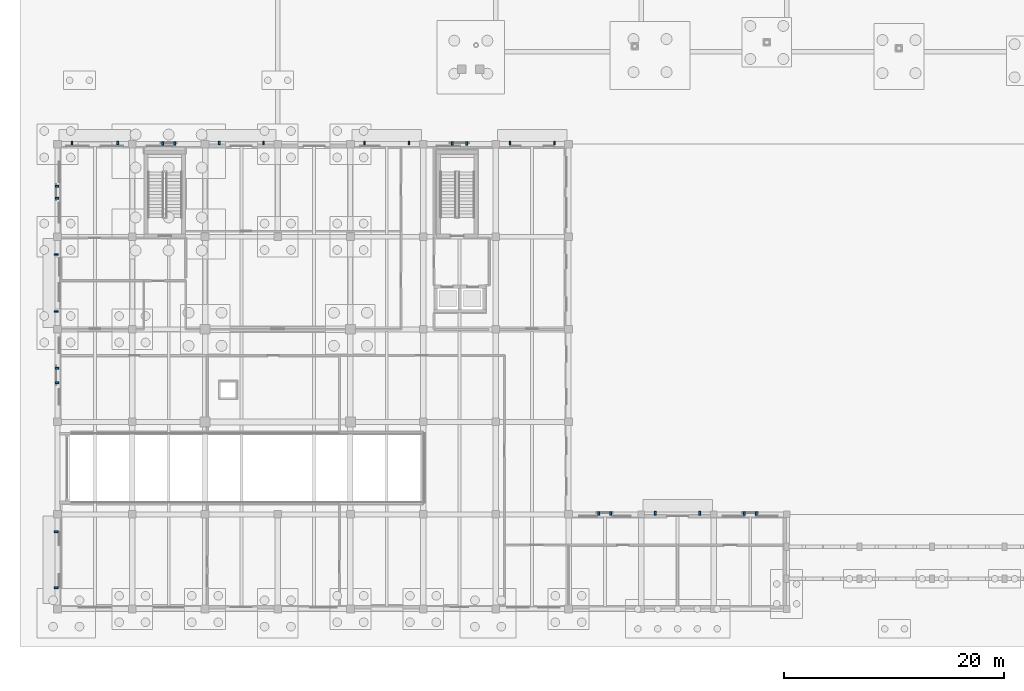
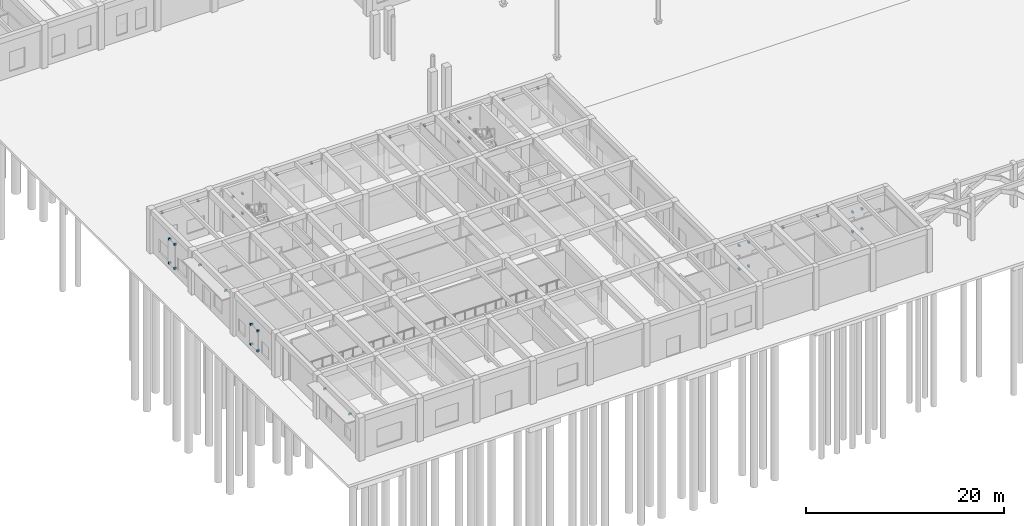
# One storey, part 66 of 82: 38 discrete accessories.
"""IFC4 building model written with IfcOpenShell, lengths in metres."""

from ifc_helpers import new_model, si_unit, direction, frame, origin, origin_2d, place, context, subcontext, project, spatial, rectangle, extrude, material, type_object, element, save


model = new_model("IFC4")

# Units and contexts
model_context = context("Model", 3, precision=1e-05, world=origin(), true_north=direction((0.0, 1.0)))
body_context = subcontext(model_context, "Body", "Model", "MODEL_VIEW")
ifc_project = project(units=[si_unit("LENGTHUNIT", "METRE"), si_unit("AREAUNIT", "SQUARE_METRE"), si_unit("VOLUMEUNIT", "CUBIC_METRE"), si_unit("PLANEANGLEUNIT", "RADIAN"), si_unit("MASSUNIT", "GRAM", prefix="KILO")], contexts=[model_context])

# Site, building, storey
site_placement = place(None, origin())
site = spatial("IfcSite", under=ifc_project, at=site_placement, CompositionType="ELEMENT")
building_placement = place(site_placement, origin())
building = spatial("IfcBuilding", under=site, at=building_placement, Name="Kolvaren Faculty of Natural Sciences", CompositionType="ELEMENT")
storey_placement = place(building_placement, origin())
storey = spatial("IfcBuildingStorey", under=building, at=storey_placement, Name="L00", CompositionType="ELEMENT", Elevation=0.0)

# Discrete accessories
ifc_material = material(Name="Structural steel EN 10025-2 S355J2", Category="steel")
discrete_accessory_type = type_object("IfcDiscreteAccessoryType", Name="FacadeSupportBracket_260", PredefinedType="BRACKET", material=ifc_material)
for number, where, z_axis, x_axis, name in (
    (1, (-0.10009765625, 1.9228515625, 4.31494140625), (0.0, 0.0, 1.0), (0.0, 1.0, 0.0), "L00 chhajja hood steel bracket"),
    (2, (-0.10009765625, 7.01708984375, 4.31494140625), (0.0, 0.0, 1.0), (0.0, 1.0, 0.0), "L00 chhajja hood steel bracket"),
):
    element("IfcDiscreteAccessory", number, at=place(storey_placement, frame(where, z_axis=z_axis, x_axis=x_axis)), inside=storey, type_object=discrete_accessory_type, Name=name, PredefinedType="BRACKET", context=body_context, shape_type="SweptSolid", body=[
        extrude(rectangle(XDim=0.159912109375, YDim=0.340087890625, at=origin_2d()), origin(), (0.0, 0.0, 1.0), 0.219970703125),
    ])
for number, where, z_axis, x_axis, name in (
    (3, (-0.06005859375, 20.534912109375, 0.81982421875), (0.0, 0.0, 1.0), (0.0, 1.0, 0.0), "L00 jali screen wall bracket"),
    (4, (-0.06005859375, 21.864990234375, 0.81982421875), (0.0, 0.0, 1.0), (0.0, 1.0, 0.0), "L00 jali screen wall bracket"),
    (5, (-0.06005859375, 20.534912109375, 3.26025390625), (0.0, 0.0, 1.0), (0.0, 1.0, 0.0), "L00 jali screen wall bracket"),
    (6, (-0.06005859375, 21.864990234375, 3.26025390625), (0.0, 0.0, 1.0), (0.0, 1.0, 0.0), "L00 jali screen wall bracket"),
):
    element("IfcDiscreteAccessory", number, at=place(storey_placement, frame(where, z_axis=z_axis, x_axis=x_axis)), inside=storey, type_object=discrete_accessory_type, Name=name, PredefinedType="BRACKET", context=body_context, shape_type="SweptSolid", body=[
        extrude(rectangle(XDim=0.179931640625, YDim=0.320068359375, at=origin_2d()), origin(), (0.0, 0.0, 1.0), 0.219970703125),
    ])
for number, where, z_axis, x_axis, name in (
    (7, (-0.10009765625, 27.008056640625, 4.31494140625), (0.0, 0.0, 1.0), (0.0, 1.0, 0.0), "L00 chhajja hood steel bracket"),
    (8, (-0.10009765625, 32.19189453125, 4.31494140625), (0.0, 0.0, 1.0), (0.0, 1.0, 0.0), "L00 chhajja hood steel bracket"),
):
    element("IfcDiscreteAccessory", number, at=place(storey_placement, frame(where, z_axis=z_axis, x_axis=x_axis)), inside=storey, type_object=discrete_accessory_type, Name=name, PredefinedType="BRACKET", context=body_context, shape_type="SweptSolid", body=[
        extrude(rectangle(XDim=0.159912109375, YDim=0.340087890625, at=origin_2d()), origin(), (0.0, 0.0, 1.0), 0.219970703125),
    ])
for number, where, z_axis, x_axis, name in (
    (9, (-0.06005859375, 37.279052734375, 0.81982421875), (0.0, 0.0, 1.0), (0.0, 1.0, 0.0), "L00 jali screen wall bracket"),
    (10, (-0.06005859375, 38.381103515625, 0.81982421875), (0.0, 0.0, 1.0), (0.0, 1.0, 0.0), "L00 jali screen wall bracket"),
    (11, (-0.06005859375, 37.279052734375, 3.76025390625), (0.0, 0.0, 1.0), (0.0, 1.0, 0.0), "L00 jali screen wall bracket"),
    (12, (-0.06005859375, 38.381103515625, 3.76025390625), (0.0, 0.0, 1.0), (0.0, 1.0, 0.0), "L00 jali screen wall bracket"),
):
    element("IfcDiscreteAccessory", number, at=place(storey_placement, frame(where, z_axis=z_axis, x_axis=x_axis)), inside=storey, type_object=discrete_accessory_type, Name=name, PredefinedType="BRACKET", context=body_context, shape_type="SweptSolid", body=[
        extrude(rectangle(XDim=0.179931640625, YDim=0.320068359375, at=origin_2d()), origin(), (0.0, 0.0, 1.0), 0.219970703125),
    ])
for number, where, z_axis, x_axis, name in (
    (13, (1.320068359375, 42.300048828125, 4.1650390625), (0.0, 0.0, 1.0), (1.0, 0.0, 0.0), "L00 chhajja hood steel bracket"),
    (14, (5.47998046875, 42.300048828125, 4.1650390625), (0.0, 0.0, 1.0), (1.0, 0.0, 0.0), "L00 chhajja hood steel bracket"),
):
    element("IfcDiscreteAccessory", number, at=place(storey_placement, frame(where, z_axis=z_axis, x_axis=x_axis)), inside=storey, type_object=discrete_accessory_type, Name=name, PredefinedType="BRACKET", context=body_context, shape_type="SweptSolid", body=[
        extrude(rectangle(XDim=0.159912109375, YDim=0.340087890625, at=origin_2d()), origin(), (0.0, 0.0, 1.0), 0.219970703125),
    ])
for number, where, z_axis, x_axis, name in (
    (15, (9.549072265625, 42.260009765625, 0.81982421875), (0.0, 0.0, 1.0), (1.0, 0.0, 0.0), "L00 jali screen wall bracket"),
    (16, (10.65087890625, 42.260009765625, 0.81982421875), (0.0, 0.0, 1.0), (1.0, 0.0, 0.0), "L00 jali screen wall bracket"),
    (17, (9.549072265625, 42.260009765625, 3.26025390625), (0.0, 0.0, 1.0), (1.0, 0.0, 0.0), "L00 jali screen wall bracket"),
    (18, (10.65087890625, 42.260009765625, 3.26025390625), (0.0, 0.0, 1.0), (1.0, 0.0, 0.0), "L00 jali screen wall bracket"),
):
    element("IfcDiscreteAccessory", number, at=place(storey_placement, frame(where, z_axis=z_axis, x_axis=x_axis)), inside=storey, type_object=discrete_accessory_type, Name=name, PredefinedType="BRACKET", context=body_context, shape_type="SweptSolid", body=[
        extrude(rectangle(XDim=0.179931640625, YDim=0.320068359375, at=origin_2d()), origin(), (0.0, 0.0, 1.0), 0.219970703125),
    ])
for number, where, z_axis, x_axis, name in (
    (19, (14.68408203125, 42.300048828125, 4.1650390625), (0.0, 0.0, 1.0), (1.0, 0.0, 0.0), "L00 chhajja hood steel bracket"),
    (20, (18.716064453125, 42.300048828125, 4.1650390625), (0.0, 0.0, 1.0), (1.0, 0.0, 0.0), "L00 chhajja hood steel bracket"),
    (21, (27.884033203125, 42.300048828125, 4.1650390625), (0.0, 0.0, 1.0), (1.0, 0.0, 0.0), "L00 chhajja hood steel bracket"),
    (22, (31.916015625, 42.300048828125, 4.1650390625), (0.0, 0.0, 1.0), (1.0, 0.0, 0.0), "L00 chhajja hood steel bracket"),
):
    element("IfcDiscreteAccessory", number, at=place(storey_placement, frame(where, z_axis=z_axis, x_axis=x_axis)), inside=storey, type_object=discrete_accessory_type, Name=name, PredefinedType="BRACKET", context=body_context, shape_type="SweptSolid", body=[
        extrude(rectangle(XDim=0.159912109375, YDim=0.340087890625, at=origin_2d()), origin(), (0.0, 0.0, 1.0), 0.219970703125),
    ])
for number, where, z_axis, x_axis, name in (
    (23, (35.8349609375, 42.260009765625, 0.81982421875), (0.0, 0.0, 1.0), (1.0, 0.0, 0.0), "L00 jali screen wall bracket"),
    (24, (37.1650390625, 42.260009765625, 0.81982421875), (0.0, 0.0, 1.0), (1.0, 0.0, 0.0), "L00 jali screen wall bracket"),
    (25, (35.8349609375, 42.260009765625, 3.26025390625), (0.0, 0.0, 1.0), (1.0, 0.0, 0.0), "L00 jali screen wall bracket"),
    (26, (37.1650390625, 42.260009765625, 3.26025390625), (0.0, 0.0, 1.0), (1.0, 0.0, 0.0), "L00 jali screen wall bracket"),
):
    element("IfcDiscreteAccessory", number, at=place(storey_placement, frame(where, z_axis=z_axis, x_axis=x_axis)), inside=storey, type_object=discrete_accessory_type, Name=name, PredefinedType="BRACKET", context=body_context, shape_type="SweptSolid", body=[
        extrude(rectangle(XDim=0.179931640625, YDim=0.320068359375, at=origin_2d()), origin(), (0.0, 0.0, 1.0), 0.219970703125),
    ])
for number, where, z_axis, x_axis, name in (
    (27, (41.083984375, 42.300048828125, 4.1650390625), (0.0, 0.0, 1.0), (1.0, 0.0, 0.0), "L00 chhajja hood steel bracket"),
    (28, (45.115966796875, 42.300048828125, 4.1650390625), (0.0, 0.0, 1.0), (1.0, 0.0, 0.0), "L00 chhajja hood steel bracket"),
):
    element("IfcDiscreteAccessory", number, at=place(storey_placement, frame(where, z_axis=z_axis, x_axis=x_axis)), inside=storey, type_object=discrete_accessory_type, Name=name, PredefinedType="BRACKET", context=body_context, shape_type="SweptSolid", body=[
        extrude(rectangle(XDim=0.159912109375, YDim=0.340087890625, at=origin_2d()), origin(), (0.0, 0.0, 1.0), 0.219970703125),
    ])
for number, where, z_axis, x_axis, name in (
    (29, (49.14892578125, 8.659912109375, 0.81982421875), (0.0, 0.0, 1.0), (1.0, 0.0, 0.0), "L00 jali screen wall bracket"),
    (30, (50.2509765625, 8.659912109375, 0.81982421875), (0.0, 0.0, 1.0), (1.0, 0.0, 0.0), "L00 jali screen wall bracket"),
    (31, (49.14892578125, 8.659912109375, 3.76025390625), (0.0, 0.0, 1.0), (1.0, 0.0, 0.0), "L00 jali screen wall bracket"),
    (32, (50.2509765625, 8.659912109375, 3.76025390625), (0.0, 0.0, 1.0), (1.0, 0.0, 0.0), "L00 jali screen wall bracket"),
):
    element("IfcDiscreteAccessory", number, at=place(storey_placement, frame(where, z_axis=z_axis, x_axis=x_axis)), inside=storey, type_object=discrete_accessory_type, Name=name, PredefinedType="BRACKET", context=body_context, shape_type="SweptSolid", body=[
        extrude(rectangle(XDim=0.179931640625, YDim=0.320068359375, at=origin_2d()), origin(), (0.0, 0.0, 1.0), 0.219970703125),
    ])
for number, where, z_axis, x_axis, name in (
    (33, (54.283935546875, 8.699951171875, 4.1650390625), (0.0, 0.0, 1.0), (1.0, 0.0, 0.0), "L00 chhajja hood steel bracket"),
    (34, (58.31591796875, 8.699951171875, 4.1650390625), (0.0, 0.0, 1.0), (1.0, 0.0, 0.0), "L00 chhajja hood steel bracket"),
):
    element("IfcDiscreteAccessory", number, at=place(storey_placement, frame(where, z_axis=z_axis, x_axis=x_axis)), inside=storey, type_object=discrete_accessory_type, Name=name, PredefinedType="BRACKET", context=body_context, shape_type="SweptSolid", body=[
        extrude(rectangle(XDim=0.159912109375, YDim=0.340087890625, at=origin_2d()), origin(), (0.0, 0.0, 1.0), 0.219970703125),
    ])
for number, where, z_axis, x_axis, name in (
    (35, (62.34912109375, 8.659912109375, 0.81982421875), (0.0, 0.0, 1.0), (1.0, 0.0, 0.0), "L00 jali screen wall bracket"),
    (36, (63.450927734375, 8.659912109375, 0.81982421875), (0.0, 0.0, 1.0), (1.0, 0.0, 0.0), "L00 jali screen wall bracket"),
    (37, (62.34912109375, 8.659912109375, 3.26025390625), (0.0, 0.0, 1.0), (1.0, 0.0, 0.0), "L00 jali screen wall bracket"),
    (38, (63.450927734375, 8.659912109375, 3.26025390625), (0.0, 0.0, 1.0), (1.0, 0.0, 0.0), "L00 jali screen wall bracket"),
):
    element("IfcDiscreteAccessory", number, at=place(storey_placement, frame(where, z_axis=z_axis, x_axis=x_axis)), inside=storey, type_object=discrete_accessory_type, Name=name, PredefinedType="BRACKET", context=body_context, shape_type="SweptSolid", body=[
        extrude(rectangle(XDim=0.179931640625, YDim=0.320068359375, at=origin_2d()), origin(), (0.0, 0.0, 1.0), 0.219970703125),
    ])

save(model, "model.ifc")
